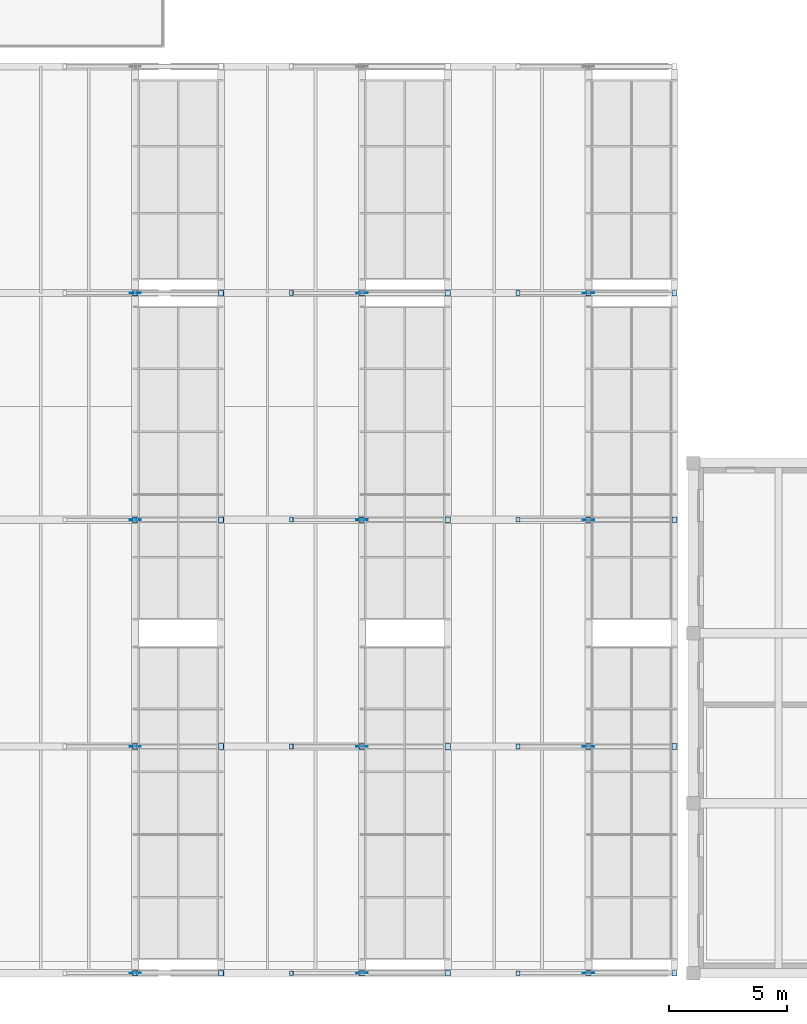
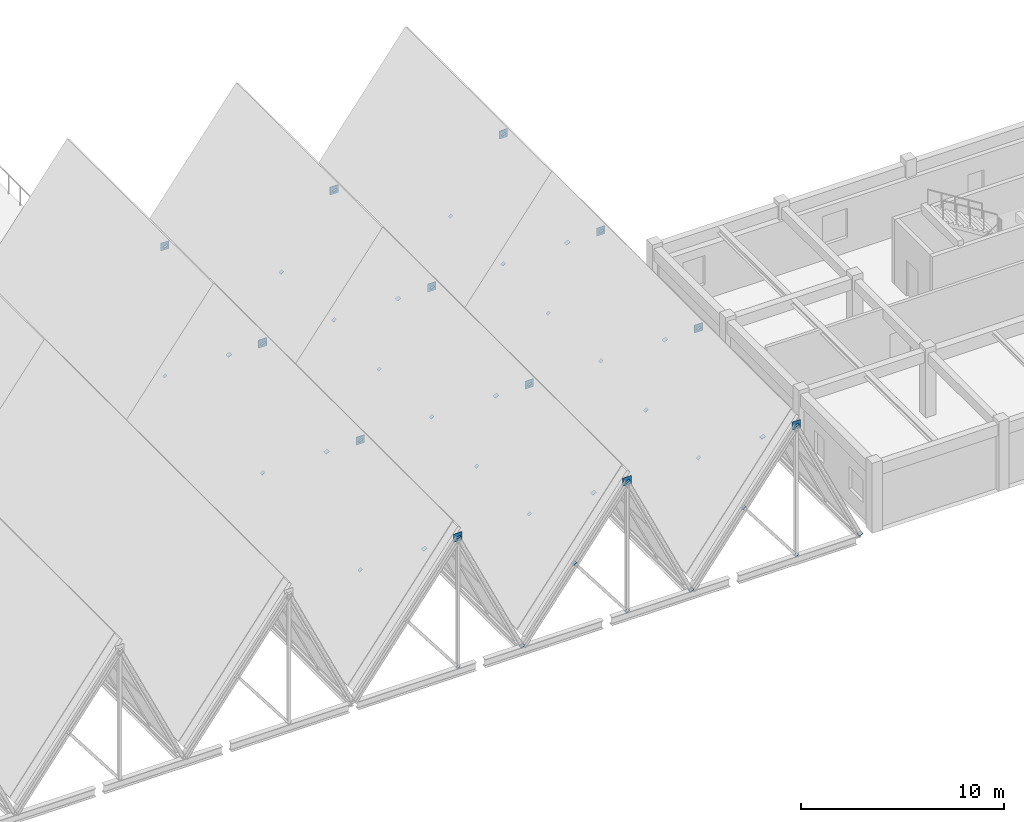
# One storey, part 74 of 99: 56 plates.
"""IFC4 building model written with IfcOpenShell, lengths in metres."""

from ifc_helpers import new_model, si_unit, direction, frame, origin, origin_2d, place, context, subcontext, project, spatial, rectangle, extrude, material, layer, layer_set, type_object, element, save


model = new_model("IFC4")

# Units and contexts
model_context = context("Model", 3, precision=1e-05, world=origin(), true_north=direction((0.0, 1.0)))
body_context = subcontext(model_context, "Body", "Model", "MODEL_VIEW")
ifc_project = project(units=[si_unit("LENGTHUNIT", "METRE"), si_unit("AREAUNIT", "SQUARE_METRE"), si_unit("VOLUMEUNIT", "CUBIC_METRE"), si_unit("PLANEANGLEUNIT", "RADIAN"), si_unit("MASSUNIT", "GRAM", prefix="KILO")], contexts=[model_context])

# Site, building, storey
site_placement = place(None, origin())
site = spatial("IfcSite", under=ifc_project, at=site_placement, CompositionType="ELEMENT")
building_placement = place(site_placement, origin())
building = spatial("IfcBuilding", under=site, at=building_placement, Name="Bramveld Media Centre", CompositionType="ELEMENT")
storey_placement = place(building_placement, frame((0.0, 0.0, 13.800048828125)))
storey = spatial("IfcBuildingStorey", under=building, at=storey_placement, Name="L03", CompositionType="ELEMENT", Elevation=13.800048828125)

# Plates
ifc_material_1 = material(Name="Steel S355J2", Category="steel")
ifc_layer_1 = layer(ifc_material_1, 0.010009765625)
ifc_layer_set_1 = layer_set([ifc_layer_1], Name="Steel S355J2")
plate_type_1 = type_object("IfcPlateType", Name="PLT-CAP-10", PredefinedType="USERDEFINED", material=ifc_layer_set_1)
plate_1_placement = place(storey_placement, frame((38.39990234375, 0.0, 0.0), z_axis=(0.422618287099, 0.0, -0.906307775212), x_axis=(0.0, 1.0, 0.0)))
element("IfcPlate", 1, at=plate_1_placement, inside=storey, type_object=plate_type_1, Name="Hollow section end cap plate CAP-TRUSS-V2-B04-F1-B", ObjectType="CAP PLATE", PredefinedType="USERDEFINED", context=body_context, shape_type="SweptSolid", body=[
    extrude(rectangle(XDim=0.239990234375, YDim=0.239990234375, at=origin_2d()), origin(), (0.0, 0.0, 1.0), 0.010009765625),
])
plate_2_placement = place(storey_placement, frame((34.762939453125, 0.0, -0.000244140625), z_axis=(0.607327610301, 0.0, -0.794451492394), x_axis=(0.0, 1.0, 0.0)))
element("IfcPlate", 2, at=plate_2_placement, inside=storey, type_object=plate_type_1, Name="Hollow section end cap plate CAP-TRUSS-V2-B04-F1-W0", ObjectType="CAP PLATE", PredefinedType="USERDEFINED", context=body_context, shape_type="SweptSolid", body=[
    extrude(rectangle(XDim=0.199951171875, YDim=0.199951171875, at=origin_2d()), origin(), (0.0, 0.0, 1.0), 0.010009765625),
])
plate_3_placement = place(storey_placement, frame((34.762939453125, 9.60009765625, 7.7998046875), z_axis=(-0.422618287099, 0.0, 0.906307775212), x_axis=(0.0, -1.0, 0.0)))
element("IfcPlate", 3, at=plate_3_placement, inside=storey, type_object=plate_type_1, Name="Hollow section end cap plate CAP-TRUSS-V2-B04-F2-A", ObjectType="CAP PLATE", PredefinedType="USERDEFINED", context=body_context, shape_type="SweptSolid", body=[
    extrude(rectangle(XDim=0.239990234375, YDim=0.239990234375, at=origin_2d()), origin(), (0.0, 0.0, 1.0), 0.010009765625),
])
for number, where, z_axis, x_axis, name in (
    (4, (34.762939453125, 9.60009765625, -0.000244140625), (0.607327610301, 0.0, -0.794451492394), (0.0, 1.0, 0.0), "Hollow section end cap plate CAP-TRUSS-V2-B04-F2-W0"),
    (5, (34.762939453125, 19.199951171875, -0.000244140625), (0.607327610301, 0.0, -0.794451492394), (0.0, 1.0, 0.0), "Hollow section end cap plate CAP-TRUSS-V2-B04-F3-W0"),
    (6, (34.762939453125, 28.800048828125, -0.000244140625), (0.607327610301, 0.0, -0.794451492394), (0.0, 1.0, 0.0), "Hollow section end cap plate CAP-TRUSS-V2-B04-F4-W0"),
):
    element("IfcPlate", number, at=place(storey_placement, frame(where, z_axis=z_axis, x_axis=x_axis)), inside=storey, type_object=plate_type_1, Name=name, ObjectType="CAP PLATE", PredefinedType="USERDEFINED", context=body_context, shape_type="SweptSolid", body=[
        extrude(rectangle(XDim=0.199951171875, YDim=0.199951171875, at=origin_2d()), origin(), (0.0, 0.0, 1.0), 0.010009765625),
    ])
plate_4_placement = place(storey_placement, frame((44.36279296875, 0.0, 7.7998046875), z_axis=(-0.422618287099, 0.0, 0.906307775212), x_axis=(0.0, -1.0, 0.0)))
element("IfcPlate", 7, at=plate_4_placement, inside=storey, type_object=plate_type_1, Name="Hollow section end cap plate CAP-TRUSS-V2-B05-F1-A", ObjectType="CAP PLATE", PredefinedType="USERDEFINED", context=body_context, shape_type="SweptSolid", body=[
    extrude(rectangle(XDim=0.239990234375, YDim=0.239990234375, at=origin_2d()), origin(), (0.0, 0.0, 1.0), 0.010009765625),
])
for number, where, z_axis, x_axis, name in (
    (8, (44.36279296875, 0.0, -0.000244140625), (0.607327610301, 0.0, -0.794451492394), (0.0, 1.0, 0.0), "Hollow section end cap plate CAP-TRUSS-V2-B05-F1-W0"),
    (9, (41.38134765625, 0.0, 3.900146484375), (-0.607327610301, 0.0, 0.794451492394), (0.0, -1.0, 0.0), "Hollow section end cap plate CAP-TRUSS-V2-B05-F1-W1"),
    (10, (44.36279296875, 9.60009765625, -0.000244140625), (0.607327610301, 0.0, -0.794451492394), (0.0, 1.0, 0.0), "Hollow section end cap plate CAP-TRUSS-V2-B05-F2-W0"),
    (11, (41.38134765625, 9.60009765625, 3.900146484375), (-0.607327610301, 0.0, 0.794451492394), (0.0, -1.0, 0.0), "Hollow section end cap plate CAP-TRUSS-V2-B05-F2-W1"),
    (12, (44.36279296875, 19.199951171875, -0.000244140625), (0.607327610301, 0.0, -0.794451492394), (0.0, 1.0, 0.0), "Hollow section end cap plate CAP-TRUSS-V2-B05-F3-W0"),
    (13, (41.38134765625, 19.199951171875, 3.900146484375), (-0.607327610301, 0.0, 0.794451492394), (0.0, -1.0, 0.0), "Hollow section end cap plate CAP-TRUSS-V2-B05-F3-W1"),
):
    element("IfcPlate", number, at=place(storey_placement, frame(where, z_axis=z_axis, x_axis=x_axis)), inside=storey, type_object=plate_type_1, Name=name, ObjectType="CAP PLATE", PredefinedType="USERDEFINED", context=body_context, shape_type="SweptSolid", body=[
        extrude(rectangle(XDim=0.199951171875, YDim=0.199951171875, at=origin_2d()), origin(), (0.0, 0.0, 1.0), 0.010009765625),
    ])
plate_5_placement = place(storey_placement, frame((48.0, 28.800048828125, 0.0), z_axis=(0.422618287099, 0.0, -0.906307775212), x_axis=(0.0, 1.0, 0.0)))
element("IfcPlate", 14, at=plate_5_placement, inside=storey, type_object=plate_type_1, Name="Hollow section end cap plate CAP-TRUSS-V2-B05-F4-B", ObjectType="CAP PLATE", PredefinedType="USERDEFINED", context=body_context, shape_type="SweptSolid", body=[
    extrude(rectangle(XDim=0.239990234375, YDim=0.239990234375, at=origin_2d()), origin(), (0.0, 0.0, 1.0), 0.010009765625),
])
for number, where, z_axis, x_axis, name in (
    (15, (44.36279296875, 28.800048828125, -0.000244140625), (0.607327610301, 0.0, -0.794451492394), (0.0, 1.0, 0.0), "Hollow section end cap plate CAP-TRUSS-V2-B05-F4-W0"),
    (16, (41.38134765625, 28.800048828125, 3.900146484375), (-0.607327610301, 0.0, 0.794451492394), (0.0, -1.0, 0.0), "Hollow section end cap plate CAP-TRUSS-V2-B05-F4-W1"),
    (17, (53.962890625, 0.0, -0.000244140625), (0.607327610301, 0.0, -0.794451492394), (0.0, 1.0, 0.0), "Hollow section end cap plate CAP-TRUSS-V2-B06-F1-W0"),
    (18, (50.9814453125, 0.0, 3.900146484375), (-0.607327610301, 0.0, 0.794451492394), (0.0, -1.0, 0.0), "Hollow section end cap plate CAP-TRUSS-V2-B06-F1-W1"),
    (19, (53.962890625, 9.60009765625, -0.000244140625), (0.607327610301, 0.0, -0.794451492394), (0.0, 1.0, 0.0), "Hollow section end cap plate CAP-TRUSS-V2-B06-F2-W0"),
    (20, (50.9814453125, 9.60009765625, 3.900146484375), (-0.607327610301, 0.0, 0.794451492394), (0.0, -1.0, 0.0), "Hollow section end cap plate CAP-TRUSS-V2-B06-F2-W1"),
):
    element("IfcPlate", number, at=place(storey_placement, frame(where, z_axis=z_axis, x_axis=x_axis)), inside=storey, type_object=plate_type_1, Name=name, ObjectType="CAP PLATE", PredefinedType="USERDEFINED", context=body_context, shape_type="SweptSolid", body=[
        extrude(rectangle(XDim=0.199951171875, YDim=0.199951171875, at=origin_2d()), origin(), (0.0, 0.0, 1.0), 0.010009765625),
    ])
plate_6_placement = place(storey_placement, frame((57.599853515625, 19.199951171875, 0.0), z_axis=(0.422618287099, 0.0, -0.906307775212), x_axis=(0.0, 1.0, 0.0)))
element("IfcPlate", 21, at=plate_6_placement, inside=storey, type_object=plate_type_1, Name="Hollow section end cap plate CAP-TRUSS-V2-B06-F3-B", ObjectType="CAP PLATE", PredefinedType="USERDEFINED", context=body_context, shape_type="SweptSolid", body=[
    extrude(rectangle(XDim=0.239990234375, YDim=0.239990234375, at=origin_2d()), origin(), (0.0, 0.0, 1.0), 0.010009765625),
])
for number, where, z_axis, x_axis, name in (
    (22, (53.962890625, 19.199951171875, -0.000244140625), (0.607327610301, 0.0, -0.794451492394), (0.0, 1.0, 0.0), "Hollow section end cap plate CAP-TRUSS-V2-B06-F3-W0"),
    (23, (50.9814453125, 19.199951171875, 3.900146484375), (-0.607327610301, 0.0, 0.794451492394), (0.0, -1.0, 0.0), "Hollow section end cap plate CAP-TRUSS-V2-B06-F3-W1"),
):
    element("IfcPlate", number, at=place(storey_placement, frame(where, z_axis=z_axis, x_axis=x_axis)), inside=storey, type_object=plate_type_1, Name=name, ObjectType="CAP PLATE", PredefinedType="USERDEFINED", context=body_context, shape_type="SweptSolid", body=[
        extrude(rectangle(XDim=0.199951171875, YDim=0.199951171875, at=origin_2d()), origin(), (0.0, 0.0, 1.0), 0.010009765625),
    ])
plate_7_placement = place(storey_placement, frame((53.962890625, 28.800048828125, 7.7998046875), z_axis=(-0.422618287099, 0.0, 0.906307775212), x_axis=(0.0, -1.0, 0.0)))
element("IfcPlate", 24, at=plate_7_placement, inside=storey, type_object=plate_type_1, Name="Hollow section end cap plate CAP-TRUSS-V2-B06-F4-A", ObjectType="CAP PLATE", PredefinedType="USERDEFINED", context=body_context, shape_type="SweptSolid", body=[
    extrude(rectangle(XDim=0.239990234375, YDim=0.239990234375, at=origin_2d()), origin(), (0.0, 0.0, 1.0), 0.010009765625),
])
for number, where, z_axis, x_axis, name in (
    (25, (53.962890625, 28.800048828125, -0.000244140625), (0.607327610301, 0.0, -0.794451492394), (0.0, 1.0, 0.0), "Hollow section end cap plate CAP-TRUSS-V2-B06-F4-W0"),
    (26, (50.9814453125, 28.800048828125, 3.900146484375), (-0.607327610301, 0.0, 0.794451492394), (0.0, -1.0, 0.0), "Hollow section end cap plate CAP-TRUSS-V2-B06-F4-W1"),
):
    element("IfcPlate", number, at=place(storey_placement, frame(where, z_axis=z_axis, x_axis=x_axis)), inside=storey, type_object=plate_type_1, Name=name, ObjectType="CAP PLATE", PredefinedType="USERDEFINED", context=body_context, shape_type="SweptSolid", body=[
        extrude(rectangle(XDim=0.199951171875, YDim=0.199951171875, at=origin_2d()), origin(), (0.0, 0.0, 1.0), 0.010009765625),
    ])
ifc_material_2 = material(Name="Steel S355J2", Category="steel")
ifc_layer_2 = layer(ifc_material_2, 0.013916015625)
ifc_layer_set_2 = layer_set([ifc_layer_2], Name="Steel S355J2")
plate_type_2 = type_object("IfcPlateType", Name="PLT-CAP-14", PredefinedType="USERDEFINED", material=ifc_layer_set_2)
for number, where, z_axis, x_axis, name in (
    (27, (38.400146484375, 9.60009765625, 0.0), (0.422618287099, 0.0, -0.906307775212), (0.0, 1.0, 0.0), "Hollow section end cap plate CAP-TRUSS-V2-B04-F2-B"),
    (28, (34.7626953125, 19.199951171875, 7.7998046875), (-0.422618287099, 0.0, 0.906307775212), (0.0, -1.0, 0.0), "Hollow section end cap plate CAP-TRUSS-V2-B04-F3-A"),
    (29, (48.0, 0.0, 0.0), (0.422618287099, 0.0, -0.906307775212), (0.0, 1.0, 0.0), "Hollow section end cap plate CAP-TRUSS-V2-B05-F1-B"),
    (30, (44.36279296875, 9.60009765625, 7.7998046875), (-0.422618287099, 0.0, 0.906307775212), (0.0, -1.0, 0.0), "Hollow section end cap plate CAP-TRUSS-V2-B05-F2-A"),
    (31, (53.962646484375, 0.0, 7.7998046875), (-0.422618287099, 0.0, 0.906307775212), (0.0, -1.0, 0.0), "Hollow section end cap plate CAP-TRUSS-V2-B06-F1-A"),
    (32, (57.60009765625, 28.800048828125, 0.0), (0.422618287099, 0.0, -0.906307775212), (0.0, 1.0, 0.0), "Hollow section end cap plate CAP-TRUSS-V2-B06-F4-B"),
):
    element("IfcPlate", number, at=place(storey_placement, frame(where, z_axis=z_axis, x_axis=x_axis)), inside=storey, type_object=plate_type_2, Name=name, ObjectType="CAP PLATE", PredefinedType="USERDEFINED", context=body_context, shape_type="SweptSolid", body=[
        extrude(rectangle(XDim=0.239990234375, YDim=0.239990234375, at=origin_2d()), origin(), (0.0, 0.0, 1.0), 0.013916015625),
    ])
ifc_material_3 = material(Name="Steel S355J2", Category="steel")
ifc_layer_3 = layer(ifc_material_3, 0.01806640625)
ifc_layer_set_3 = layer_set([ifc_layer_3], Name="Steel S355J2")
plate_type_3 = type_object("IfcPlateType", Name="PLT-CAP-18", PredefinedType="USERDEFINED", material=ifc_layer_set_3)
for number, where, z_axis, x_axis, name in (
    (33, (38.39990234375, 19.199951171875, 0.0), (0.422618287099, 0.0, -0.906307775212), (0.0, 1.0, 0.0), "Hollow section end cap plate CAP-TRUSS-V2-B04-F3-B"),
    (34, (34.762939453125, 28.800048828125, 7.7998046875), (-0.422618287099, 0.0, 0.906307775212), (0.0, -1.0, 0.0), "Hollow section end cap plate CAP-TRUSS-V2-B04-F4-A"),
    (35, (48.0, 9.60009765625, 0.0), (0.422618287099, 0.0, -0.906307775212), (0.0, 1.0, 0.0), "Hollow section end cap plate CAP-TRUSS-V2-B05-F2-B"),
    (36, (44.36279296875, 19.199951171875, 7.7998046875), (-0.422618287099, 0.0, 0.906307775212), (0.0, -1.0, 0.0), "Hollow section end cap plate CAP-TRUSS-V2-B05-F3-A"),
    (37, (57.599853515625, 0.0, 0.0), (0.422618287099, 0.0, -0.906307775212), (0.0, 1.0, 0.0), "Hollow section end cap plate CAP-TRUSS-V2-B06-F1-B"),
    (38, (53.962890625, 9.60009765625, 7.7998046875), (-0.422618287099, 0.0, 0.906307775212), (0.0, -1.0, 0.0), "Hollow section end cap plate CAP-TRUSS-V2-B06-F2-A"),
):
    element("IfcPlate", number, at=place(storey_placement, frame(where, z_axis=z_axis, x_axis=x_axis)), inside=storey, type_object=plate_type_3, Name=name, ObjectType="CAP PLATE", PredefinedType="USERDEFINED", context=body_context, shape_type="SweptSolid", body=[
        extrude(rectangle(XDim=0.239990234375, YDim=0.239990234375, at=origin_2d()), origin(), (0.0, 0.0, 1.0), 0.01806640625),
    ])
ifc_material_4 = material(Name="Steel S355J2", Category="steel")
ifc_layer_4 = layer(ifc_material_4, 0.02197265625)
ifc_layer_set_4 = layer_set([ifc_layer_4], Name="Steel S355J2")
plate_type_4 = type_object("IfcPlateType", Name="PLT-CAP-22", PredefinedType="USERDEFINED", material=ifc_layer_set_4)
for number, where, z_axis, x_axis, name in (
    (39, (34.762939453125, 0.0, 7.800048828125), (-0.422618287099, 0.0, 0.906307775212), (0.0, -1.0, 0.0), "Hollow section end cap plate CAP-TRUSS-V2-B04-F1-A"),
    (40, (38.39990234375, 28.800048828125, 0.0), (0.422618287099, 0.0, -0.906307775212), (0.0, 1.0, 0.0), "Hollow section end cap plate CAP-TRUSS-V2-B04-F4-B"),
    (41, (48.0, 19.199951171875, 0.0), (0.422618287099, 0.0, -0.906307775212), (0.0, 1.0, 0.0), "Hollow section end cap plate CAP-TRUSS-V2-B05-F3-B"),
    (42, (44.36279296875, 28.800048828125, 7.800048828125), (-0.422618287099, 0.0, 0.906307775212), (0.0, -1.0, 0.0), "Hollow section end cap plate CAP-TRUSS-V2-B05-F4-A"),
    (43, (57.599853515625, 9.60009765625, 0.0), (0.422618287099, 0.0, -0.906307775212), (0.0, 1.0, 0.0), "Hollow section end cap plate CAP-TRUSS-V2-B06-F2-B"),
    (44, (53.962890625, 19.199951171875, 7.800048828125), (-0.422618287099, 0.0, 0.906307775212), (0.0, -1.0, 0.0), "Hollow section end cap plate CAP-TRUSS-V2-B06-F3-A"),
):
    element("IfcPlate", number, at=place(storey_placement, frame(where, z_axis=z_axis, x_axis=x_axis)), inside=storey, type_object=plate_type_4, Name=name, ObjectType="CAP PLATE", PredefinedType="USERDEFINED", context=body_context, shape_type="SweptSolid", body=[
        extrude(rectangle(XDim=0.239990234375, YDim=0.239990234375, at=origin_2d()), origin(), (0.0, 0.0, 1.0), 0.02197265625),
    ])
ifc_material_5 = material(Name="Steel S355J2", Category="steel")
ifc_layer_5 = layer(ifc_material_5, 0.011962890625)
ifc_layer_set_5 = layer_set([ifc_layer_5], Name="Steel S355J2")
plate_type_5 = type_object("IfcPlateType", Name="PLT-GUSSET-12", PredefinedType="USERDEFINED", material=ifc_layer_set_5)
plate_8_placement = place(storey_placement, frame((34.7626953125, 28.800048828125, 7.56005859375), z_axis=(0.0, 0.0, 1.0), x_axis=(1.0, 0.0, 0.0)))
element("IfcPlate", 45, at=plate_8_placement, inside=storey, type_object=plate_type_5, Name="TRUSS-V2-B04-F4 apex node gusset plate", ObjectType="GUSSET PLATE", PredefinedType="USERDEFINED", context=body_context, shape_type="SweptSolid", body=[
    extrude(rectangle(XDim=0.47998046875, YDim=0.011962890625, at=origin_2d()), origin(), (0.0, 0.0, 1.0), 0.47998046875),
])
ifc_material_6 = material(Name="Steel S355J2", Category="steel")
ifc_layer_6 = layer(ifc_material_6, 0.01611328125)
ifc_layer_set_6 = layer_set([ifc_layer_6], Name="Steel S355J2")
plate_type_6 = type_object("IfcPlateType", Name="PLT-GUSSET-16", PredefinedType="USERDEFINED", material=ifc_layer_set_6)
plate_9_placement = place(storey_placement, frame((53.962890625, 0.0, 7.56005859375), z_axis=(0.0, 0.0, 1.0), x_axis=(1.0, 0.0, 0.0)))
element("IfcPlate", 46, at=plate_9_placement, inside=storey, type_object=plate_type_6, Name="TRUSS-V2-B06-F1 apex node gusset plate", ObjectType="GUSSET PLATE", PredefinedType="USERDEFINED", context=body_context, shape_type="SweptSolid", body=[
    extrude(rectangle(XDim=0.47998046875, YDim=0.01611328125, at=origin_2d()), origin(), (0.0, 0.0, 1.0), 0.47998046875),
])
ifc_material_7 = material(Name="Steel S355J2", Category="steel")
ifc_layer_7 = layer(ifc_material_7, 0.02001953125)
ifc_layer_set_7 = layer_set([ifc_layer_7], Name="Steel S355J2")
plate_type_7 = type_object("IfcPlateType", Name="PLT-GUSSET-20", PredefinedType="USERDEFINED", material=ifc_layer_set_7)
for number, where, z_axis, x_axis, name in (
    (47, (44.36279296875, 0.0, 7.56005859375), (0.0, 0.0, 1.0), (1.0, 0.0, 0.0), "TRUSS-V2-B05-F1 apex node gusset plate"),
    (48, (53.962890625, 9.60009765625, 7.56005859375), (0.0, 0.0, 1.0), (1.0, 0.0, 0.0), "TRUSS-V2-B06-F2 apex node gusset plate"),
):
    element("IfcPlate", number, at=place(storey_placement, frame(where, z_axis=z_axis, x_axis=x_axis)), inside=storey, type_object=plate_type_7, Name=name, ObjectType="GUSSET PLATE", PredefinedType="USERDEFINED", context=body_context, shape_type="SweptSolid", body=[
        extrude(rectangle(XDim=0.47998046875, YDim=0.02001953125, at=origin_2d()), origin(), (0.0, 0.0, 1.0), 0.47998046875),
    ])
ifc_material_8 = material(Name="Steel S355J2", Category="steel")
ifc_layer_8 = layer(ifc_material_8, 0.02392578125)
ifc_layer_set_8 = layer_set([ifc_layer_8], Name="Steel S355J2")
plate_type_8 = type_object("IfcPlateType", Name="PLT-GUSSET-24", PredefinedType="USERDEFINED", material=ifc_layer_set_8)
for number, where, z_axis, x_axis, name in (
    (49, (34.7626953125, 0.0, 7.56005859375), (0.0, 0.0, 1.0), (1.0, 0.0, 0.0), "TRUSS-V2-B04-F1 apex node gusset plate"),
    (50, (44.36279296875, 9.60009765625, 7.56005859375), (0.0, 0.0, 1.0), (1.0, 0.0, 0.0), "TRUSS-V2-B05-F2 apex node gusset plate"),
    (51, (53.962890625, 19.199951171875, 7.56005859375), (0.0, 0.0, 1.0), (1.0, 0.0, 0.0), "TRUSS-V2-B06-F3 apex node gusset plate"),
):
    element("IfcPlate", number, at=place(storey_placement, frame(where, z_axis=z_axis, x_axis=x_axis)), inside=storey, type_object=plate_type_8, Name=name, ObjectType="GUSSET PLATE", PredefinedType="USERDEFINED", context=body_context, shape_type="SweptSolid", body=[
        extrude(rectangle(XDim=0.47998046875, YDim=0.02392578125, at=origin_2d()), origin(), (0.0, 0.0, 1.0), 0.47998046875),
    ])
ifc_material_9 = material(Name="Steel S355J2", Category="steel")
ifc_layer_9 = layer(ifc_material_9, 0.028076171875)
ifc_layer_set_9 = layer_set([ifc_layer_9], Name="Steel S355J2")
plate_type_9 = type_object("IfcPlateType", Name="PLT-GUSSET-28", PredefinedType="USERDEFINED", material=ifc_layer_set_9)
for number, where, z_axis, x_axis, name in (
    (52, (34.7626953125, 9.60009765625, 7.56005859375), (0.0, 0.0, 1.0), (1.0, 0.0, 0.0), "TRUSS-V2-B04-F2 apex node gusset plate"),
    (53, (44.36279296875, 19.199951171875, 7.56005859375), (0.0, 0.0, 1.0), (1.0, 0.0, 0.0), "TRUSS-V2-B05-F3 apex node gusset plate"),
    (54, (53.962890625, 28.800048828125, 7.56005859375), (0.0, 0.0, 1.0), (1.0, 0.0, 0.0), "TRUSS-V2-B06-F4 apex node gusset plate"),
):
    element("IfcPlate", number, at=place(storey_placement, frame(where, z_axis=z_axis, x_axis=x_axis)), inside=storey, type_object=plate_type_9, Name=name, ObjectType="GUSSET PLATE", PredefinedType="USERDEFINED", context=body_context, shape_type="SweptSolid", body=[
        extrude(rectangle(XDim=0.47998046875, YDim=0.028076171875, at=origin_2d()), origin(), (0.0, 0.0, 1.0), 0.47998046875),
    ])
ifc_material_10 = material(Name="Steel S355J2", Category="steel")
ifc_layer_10 = layer(ifc_material_10, 0.030029296875)
ifc_layer_set_10 = layer_set([ifc_layer_10], Name="Steel S355J2")
plate_type_10 = type_object("IfcPlateType", Name="PLT-GUSSET-30", PredefinedType="USERDEFINED", material=ifc_layer_set_10)
for number, where, z_axis, x_axis, name in (
    (55, (34.7626953125, 19.199951171875, 7.56005859375), (0.0, 0.0, 1.0), (1.0, 0.0, 0.0), "TRUSS-V2-B04-F3 apex node gusset plate"),
    (56, (44.36279296875, 28.800048828125, 7.56005859375), (0.0, 0.0, 1.0), (1.0, 0.0, 0.0), "TRUSS-V2-B05-F4 apex node gusset plate"),
):
    element("IfcPlate", number, at=place(storey_placement, frame(where, z_axis=z_axis, x_axis=x_axis)), inside=storey, type_object=plate_type_10, Name=name, ObjectType="GUSSET PLATE", PredefinedType="USERDEFINED", context=body_context, shape_type="SweptSolid", body=[
        extrude(rectangle(XDim=0.47998046875, YDim=0.030029296875, at=origin_2d()), origin(), (0.0, 0.0, 1.0), 0.47998046875),
    ])

save(model, "model.ifc")
